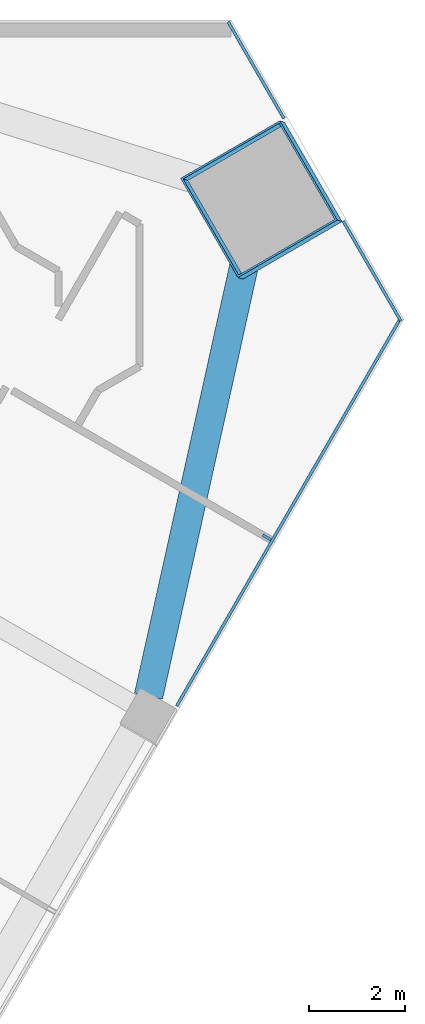
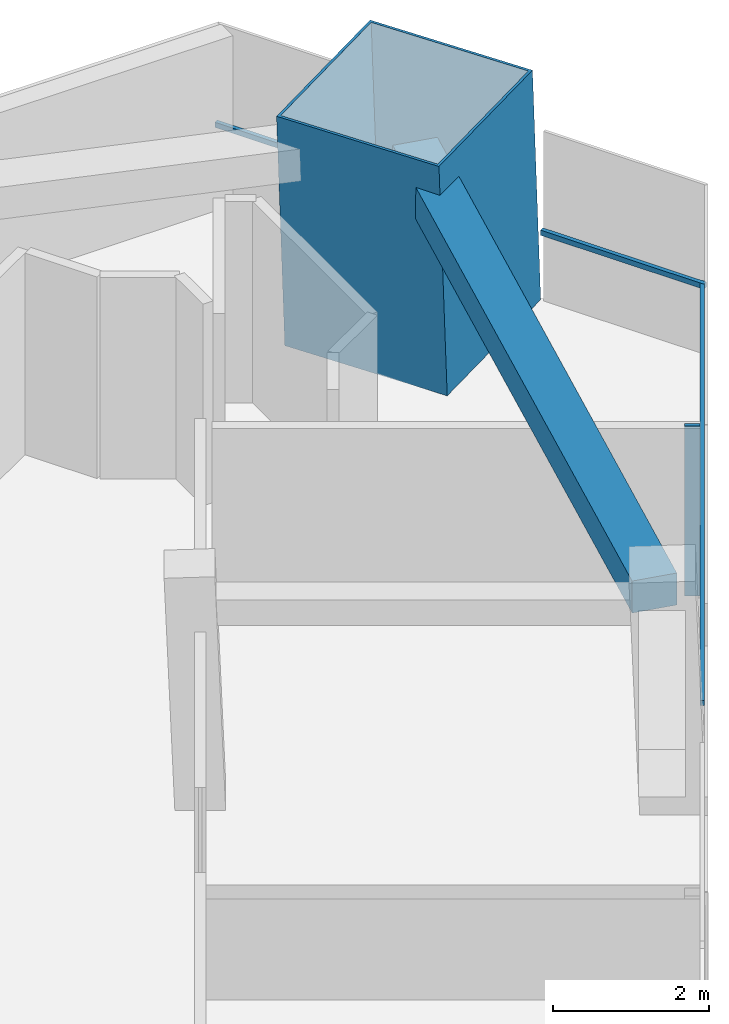
# One storey, part 7 of 13: 5 members, 1 beam, 2 elements without a shape of their own.
"""IFC4 building model written with IfcOpenShell, lengths in metres."""

import ifcopenshell
import ifcopenshell.guid

model = None  # the IFC model being written
_history = None  # IfcOwnerHistory: only IFC2X3 demands one
_inside = {}  # id of a spatial element -> (the spatial element, [elements in it])
_under = {}  # id of a project, library or spatial element -> (it, [spatial elements below it])
_declared = {}  # id of a project -> (the project, [libraries it declares])
_typed = {}  # id of a type object -> (the type object, [elements of that type])
_made_of = {}  # id of a material, layer set ... -> (it, [elements and type objects made of it])


def new_model(schema):
    """Start an empty IFC model of exactly this schema.

    Asked for "IFC4X3", IfcOpenShell would pick the latest addendum, in which some entities
    have other attributes; the version numbers below select the first issue.
    IFC2X3 requires an IfcOwnerHistory on every rooted entity: one is made here for all.
    """
    global model, _history
    if schema == "IFC4X3":
        model = ifcopenshell.file(schema_version=(4, 3, 0, 0))
    else:
        model = ifcopenshell.file(schema=schema)
    _inside.clear()
    _under.clear()
    _declared.clear()
    _typed.clear()
    _made_of.clear()
    _history = None
    if model.schema == "IFC2X3":
        org = make("IfcOrganization", Name="unknown")
        user = make(
            "IfcPersonAndOrganization",
            ThePerson=make("IfcPerson", FamilyName="unknown"),
            TheOrganization=org,
        )
        app = make(
            "IfcApplication",
            ApplicationDeveloper=org,
            Version="unknown",
            ApplicationFullName="unknown",
            ApplicationIdentifier="unknown",
        )
        _history = make(
            "IfcOwnerHistory",
            OwningUser=user,
            OwningApplication=app,
            ChangeAction="ADDED",
            CreationDate=0,
        )
    return model


def make(cls, **values):
    """One entity of the class cls with the attributes given. An attribute that is None is left unset."""
    return model.create_entity(
        cls, **{name: value for name, value in values.items() if value is not None}
    )


def rooted(cls, **values):
    """An entity with a GlobalId (a new one), such as an element, a storey or a relation."""
    return make(cls, GlobalId=ifcopenshell.guid.new(), OwnerHistory=_history, **values)


def si_unit(unit_type, name, prefix=None):
    """IfcSIUnit, for example si_unit("LENGTHUNIT", "METRE", prefix="MILLI")."""
    return make("IfcSIUnit", UnitType=unit_type, Prefix=prefix, Name=name)


def assignment(units):
    """IfcUnitAssignment: the units of a project."""
    return None if units is None else make("IfcUnitAssignment", Units=units)


def point(xyz):
    """IfcCartesianPoint."""
    return None if xyz is None else make("IfcCartesianPoint", Coordinates=xyz)


def direction(xyz):
    """IfcDirection."""
    return None if xyz is None else make("IfcDirection", DirectionRatios=xyz)


def frame(location, z_axis=None, x_axis=None):
    """IfcAxis2Placement3D, a coordinate frame: its origin and axes. An axis left out is left unset."""
    return make(
        "IfcAxis2Placement3D",
        Location=point(location),
        Axis=direction(z_axis),
        RefDirection=direction(x_axis),
    )


def frame_2d(location, x_axis=None):
    """IfcAxis2Placement2D, a coordinate frame in the plane: its origin and x axis."""
    return make(
        "IfcAxis2Placement2D", Location=point(location), RefDirection=direction(x_axis)
    )


def origin():
    """The frame at (0, 0, 0) with its axes left unset."""
    return frame((0.0, 0.0, 0.0))


def origin_2d():
    """The frame at (0, 0) in the plane with its x axis left unset."""
    return frame_2d((0.0, 0.0))


def place(relative_to, where):
    """IfcLocalPlacement: puts the frame where relative to a parent placement (None: the world)."""
    return make(
        "IfcLocalPlacement", PlacementRelTo=relative_to, RelativePlacement=where
    )


def context(
    kind, dimensions, precision=None, world=None, true_north=None, identifier=None
):
    """IfcGeometricRepresentationContext, for example the 3D "Model" context."""
    return make(
        "IfcGeometricRepresentationContext",
        ContextIdentifier=identifier,
        ContextType=kind,
        CoordinateSpaceDimension=dimensions,
        Precision=precision,
        WorldCoordinateSystem=world,
        TrueNorth=true_north,
    )


def subcontext(parent, identifier, kind, view, scale=None):
    """IfcGeometricRepresentationSubContext, for example "Body" below "Model"."""
    return make(
        "IfcGeometricRepresentationSubContext",
        ContextIdentifier=identifier,
        ContextType=kind,
        ParentContext=parent,
        TargetScale=scale,
        TargetView=view,
    )


def project(units=None, contexts=None):
    """IfcProject with its units and contexts."""
    return rooted(
        "IfcProject",
        Name="project",
        RepresentationContexts=contexts,
        UnitsInContext=assignment(units),
    )


def spatial(cls, under=None, at=None, **own):
    """A site, building, storey or space (cls), placed at a placement, below another one or the project."""
    s = rooted(cls, ObjectPlacement=at, **own)
    if under is not None:
        _under.setdefault(under.id(), (under, []))[1].append(s)
    return s


def profile(cls, at=None, kind="AREA", **sizes):
    """A parametric profile (cls). Its sizes go by their IFC names, for example OverallWidth=200.0."""
    return make(cls, ProfileType=kind, Position=at, **sizes)


def rectangle(**sizes):
    """IfcRectangleProfileDef."""
    return profile("IfcRectangleProfileDef", **sizes)


def hollow_rectangle(**sizes):
    """IfcRectangleHollowProfileDef."""
    return profile("IfcRectangleHollowProfileDef", **sizes)


def extrude(swept, where, along, depth):
    """IfcExtrudedAreaSolid: the profile swept, set in the frame where, extruded along a direction by depth."""
    return make(
        "IfcExtrudedAreaSolid",
        SweptArea=swept,
        Position=where,
        ExtrudedDirection=direction(along),
        Depth=depth,
    )


def shape(context_of_items, identifier, shape_type, items):
    """IfcShapeRepresentation: the items that make up one representation, for example the "Body"."""
    return make(
        "IfcShapeRepresentation",
        ContextOfItems=context_of_items,
        RepresentationIdentifier=identifier,
        RepresentationType=shape_type,
        Items=items,
    )


def material(Name=None, Category=None):
    """IfcMaterial."""
    return make("IfcMaterial", Name=Name, Category=Category)


def layer(
    of_material, thickness, ventilated=None, Name=None, Category=None, Priority=None
):
    """IfcMaterialLayer: one layer of a wall or slab, of a material (None: an air gap)."""
    return make(
        "IfcMaterialLayer",
        Material=of_material,
        LayerThickness=thickness,
        IsVentilated=ventilated,
        Name=Name,
        Category=Category,
        Priority=Priority,
    )


def layer_set(layers, Name=None):
    """IfcMaterialLayerSet."""
    return make("IfcMaterialLayerSet", MaterialLayers=layers, LayerSetName=Name)


def material_profile(
    of_material, cross_section, Name=None, Category=None, Priority=None
):
    """IfcMaterialProfile: a cross section and its material."""
    return make(
        "IfcMaterialProfile",
        Name=Name,
        Material=of_material,
        Profile=cross_section,
        Priority=Priority,
        Category=Category,
    )


def profile_set(profiles, Name=None, composite=None):
    """IfcMaterialProfileSet."""
    return make(
        "IfcMaterialProfileSet",
        Name=Name,
        MaterialProfiles=profiles,
        CompositeProfile=composite,
    )


def made_of(thing, what):
    """Note that an element or type object is made of a material, layer set ...; save() writes the relation."""
    if what is not None:
        _made_of.setdefault(what.id(), (what, []))[1].append(thing)
    return thing


def type_object(cls, material=None, **own):
    """A type object (cls), such as IfcWallType, which elements share."""
    return made_of(rooted(cls, **own), material)


def element(
    cls,
    number,
    at=None,
    inside=None,
    cuts=None,
    type_object=None,
    material=None,
    context=None,
    identifier="Body",
    shape_type=None,
    held_by="IfcProductDefinitionShape",
    body=None,
    shapes=None,
    **own,
):
    """One element of the class cls, such as IfcWall. Its Tag is "e" and its number.

    at: its placement. inside: the storey or other place that contains it. cuts: it is an
    opening in that element (IfcRelVoidsElement). A single representation is given by context,
    identifier, shape_type and body (its items); several are given by shapes. held_by: the class
    of the entity that holds the representations. save() writes the other relations.
    """
    e = rooted(cls, Tag="e%d" % number, ObjectPlacement=at, **own)
    if body is not None:
        shapes = [shape(context, identifier, shape_type, body)]
    if shapes is not None:
        e.Representation = make(held_by, Representations=shapes)
    if inside is not None:
        _inside.setdefault(inside.id(), (inside, []))[1].append(e)
    if cuts is not None:
        rooted(
            "IfcRelVoidsElement", RelatingBuildingElement=cuts, RelatedOpeningElement=e
        )
    if type_object is not None:
        _typed.setdefault(type_object.id(), (type_object, []))[1].append(e)
    return made_of(e, material)


def aggregate(whole, parts):
    """IfcRelAggregates: a whole, such as a stair, and the parts it consists of."""
    return rooted("IfcRelAggregates", RelatingObject=whole, RelatedObjects=parts)


def save(model, path):
    """Write the relations noted so far, then the file.

    IfcRelAggregates (storeys below a building ...), IfcRelContainedInSpatialStructure (elements
    in a storey), IfcRelDefinesByType, IfcRelAssociatesMaterial and IfcRelDeclares: one each for
    every whole, place, type object, material and project.
    """
    for whole, parts in _under.values():
        aggregate(whole, parts)
    for where, things in _inside.values():
        rooted(
            "IfcRelContainedInSpatialStructure",
            RelatedElements=things,
            RelatingStructure=where,
        )
    for kind, things in _typed.values():
        rooted("IfcRelDefinesByType", RelatedObjects=things, RelatingType=kind)
    for what, things in _made_of.values():
        rooted("IfcRelAssociatesMaterial", RelatedObjects=things, RelatingMaterial=what)
    for by, libraries in _declared.values():
        rooted("IfcRelDeclares", RelatingContext=by, RelatedDefinitions=libraries)
    model.write(path)


model = new_model("IFC4")

# Units and contexts
model_context = context("Model", 3, precision=1e-05, world=origin(), true_north=direction((0.0, 1.0)))
body_context = subcontext(model_context, "Body", "Model", "MODEL_VIEW")
ifc_project = project(units=[si_unit("LENGTHUNIT", "METRE"), si_unit("AREAUNIT", "SQUARE_METRE"), si_unit("VOLUMEUNIT", "CUBIC_METRE"), si_unit("PLANEANGLEUNIT", "RADIAN"), si_unit("MASSUNIT", "GRAM", prefix="KILO")], contexts=[model_context])

# Site, building, storey
site_placement = place(None, origin())
site = spatial("IfcSite", under=ifc_project, at=site_placement, CompositionType="ELEMENT")
building_placement = place(site_placement, origin())
building = spatial("IfcBuilding", under=site, at=building_placement, Name="Altiplano Prism Tower", CompositionType="ELEMENT")
storey_placement = place(building_placement, frame((0.0, 0.0, 156.60009765625)))
storey = spatial("IfcBuildingStorey", under=building, at=storey_placement, Name="L40", CompositionType="ELEMENT", Elevation=156.60009765625)

# Curtain wall, members
ifc_material_1 = material(Name="Aluminium and glass", Category="aluminium")
ifc_layer = layer(ifc_material_1, 0.303955078125)
ifc_layer_set = layer_set([ifc_layer], Name="Aluminium and glass")
curtain_wall_type = type_object("IfcCurtainWallType", Name="CW2 lounge-band unitised glazing", PredefinedType="NOTDEFINED", material=ifc_layer_set)
curtain_wall_1_placement = place(storey_placement, origin())
curtain_wall_1 = element("IfcCurtainWall", 1, at=curtain_wall_1_placement, inside=storey, type_object=curtain_wall_type, Name="CW2 curtain wall south-east face L40", PredefinedType="NOTDEFINED")
ifc_material_2 = material(Name="Aluminium", Category="aluminium")
ifc_material_profile_1 = material_profile(ifc_material_2, rectangle(XDim=0.199951171875, YDim=0.06005859375, at=origin_2d()), Name="CW2 mullion 60 x 200")
ifc_profile_set_1 = profile_set([ifc_material_profile_1], Name="Aluminium")
member_type_1 = type_object("IfcMemberType", Name="CW2 mullion 60 x 200", PredefinedType="MULLION", material=ifc_profile_set_1)
member_1_placement = place(storey_placement, frame((109.130126953125, 94.17822265625, 0.0), z_axis=(0.0, 0.0, 1.0), x_axis=(-0.866025403025, 0.500000001315, 0.0)))
member_1 = element("IfcMember", 2, at=member_1_placement, type_object=member_type_1, Name="CW2 mullion", PredefinedType="MULLION", context=body_context, shape_type="SweptSolid", body=[
    extrude(rectangle(XDim=0.199951171875, YDim=0.06005859375, at=origin_2d()), origin(), (0.0, 0.0, 1.0), 2.64990234375),
])
ifc_material_profile_2 = material_profile(ifc_material_2, rectangle(XDim=0.06005859375, YDim=0.080078125, at=origin_2d()), Name="CW2 transom 80 x 60")
ifc_profile_set_2 = profile_set([ifc_material_profile_2], Name="Aluminium")
member_type_2 = type_object("IfcMemberType", Name="CW2 transom 80 x 60", PredefinedType="USERDEFINED", material=ifc_profile_set_2)
member_2_placement = place(storey_placement, frame((107.2451171875, 90.65283203125, 1.099853515625), z_axis=(0.500004824286, 0.866022618464, 0.0), x_axis=(-0.866022618464, 0.500004824286, 0.0)))
member_2 = element("IfcMember", 3, at=member_2_placement, type_object=member_type_2, Name="CW2 transom", ObjectType="TRANSOM", PredefinedType="USERDEFINED", context=body_context, shape_type="SweptSolid", body=[
    extrude(rectangle(XDim=0.06005859375, YDim=0.080078125, at=origin_2d()), origin(), (0.0, 0.0, 1.0), 9.38037109375),
])
aggregate(curtain_wall_1, [member_1, member_2])

curtain_wall_2_placement = place(storey_placement, origin())
curtain_wall_2 = element("IfcCurtainWall", 4, at=curtain_wall_2_placement, inside=storey, type_object=curtain_wall_type, Name="CW2 curtain wall north-east chamfer L40", PredefinedType="NOTDEFINED")
member_3_placement = place(storey_placement, frame((111.935302734375, 98.702392578125, 1.099853515625), z_axis=(-0.500075445018, 0.865981841201, 0.0), x_axis=(-0.865981841201, -0.500075445018, 0.0)))
member_3 = element("IfcMember", 5, at=member_3_placement, type_object=member_type_2, Name="CW2 transom", ObjectType="TRANSOM", PredefinedType="USERDEFINED", context=body_context, shape_type="SweptSolid", body=[
    extrude(rectangle(XDim=0.06005859375, YDim=0.080078125, at=origin_2d()), origin(), (0.0, 0.0, 1.0), 2.414794921875),
])
member_4_placement = place(storey_placement, frame((109.488037109375, 102.941162109375, 1.099853515625), z_axis=(-0.500075481643, 0.865981820051, 0.0), x_axis=(-0.865981820051, -0.500075481643, 0.0)))
member_4 = element("IfcMember", 6, at=member_4_placement, type_object=member_type_2, Name="CW2 transom", ObjectType="TRANSOM", PredefinedType="USERDEFINED", context=body_context, shape_type="SweptSolid", body=[
    extrude(rectangle(XDim=0.06005859375, YDim=0.080078125, at=origin_2d()), origin(), (0.0, 0.0, 1.0), 2.334716796875),
])
aggregate(curtain_wall_2, [member_3, member_4])

# Beam
ifc_material_3 = material(Name="Concrete C60/75", Category="concrete")
ifc_material_profile_3 = material_profile(ifc_material_3, rectangle(XDim=0.60009765625, YDim=0.5, at=origin_2d()), Name="Edge beam 600x500")
ifc_profile_set_3 = profile_set([ifc_material_profile_3], Name="Concrete C60/75")
beam_type = type_object("IfcBeamType", Name="Edge beam 600x500", PredefinedType="SPANDREL", material=ifc_profile_set_3)
beam_placement = place(storey_placement, frame((106.65771484375, 90.8603515625, 2.89990234375), z_axis=(0.216638871172, 0.976251811521, 0.0), x_axis=(-0.976251811521, 0.216638871172, 0.0)))
element("IfcBeam", 7, at=beam_placement, inside=storey, type_object=beam_type, Name="Edge beam P24-M2 L41", PredefinedType="SPANDREL", context=body_context, shape_type="SweptSolid", body=[
    extrude(rectangle(XDim=0.60009765625, YDim=0.5, at=origin_2d()), origin(), (0.0, 0.0, 1.0), 10.195556640625),
])

# Member
ifc_material_4 = material(Name="Steel S460", Category="steel")
ifc_material_profile_4 = material_profile(ifc_material_4, hollow_rectangle(XDim=2.39990234375, YDim=2.39990234375, WallThickness=0.0400390625, at=origin_2d()), Name="Mega column tube 2400")
ifc_profile_set_4 = profile_set([ifc_material_profile_4], Name="Steel S460")
member_type_3 = type_object("IfcMemberType", Name="Mega column tube 2400", PredefinedType="POST", material=ifc_profile_set_4)
member_5_placement = place(storey_placement, frame((109.066162109375, 101.2197265625, 0.0), z_axis=(-0.028403739082, 0.009219352065, 0.999554016126), x_axis=(0.500759919091, -0.865301207909, 0.022210876255)))
element("IfcMember", 8, at=member_5_placement, inside=storey, type_object=member_type_3, Name="Mega column tube M2 L40", PredefinedType="POST", context=body_context, shape_type="SweptSolid", body=[
    extrude(hollow_rectangle(XDim=2.39990234375, YDim=2.39990234375, WallThickness=0.0400390625, at=origin_2d()), origin(), (0.0, 0.0, 1.0), 3.6015625),
])

save(model, "model.ifc")
